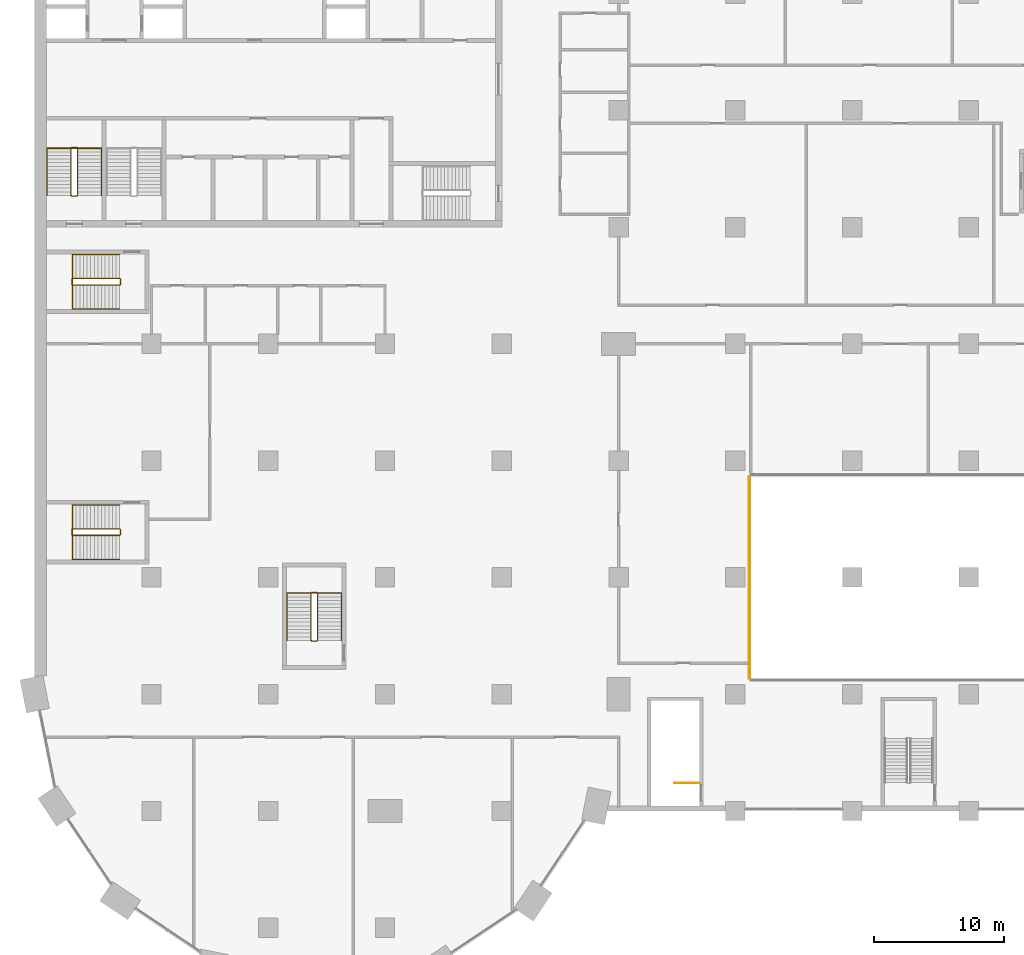
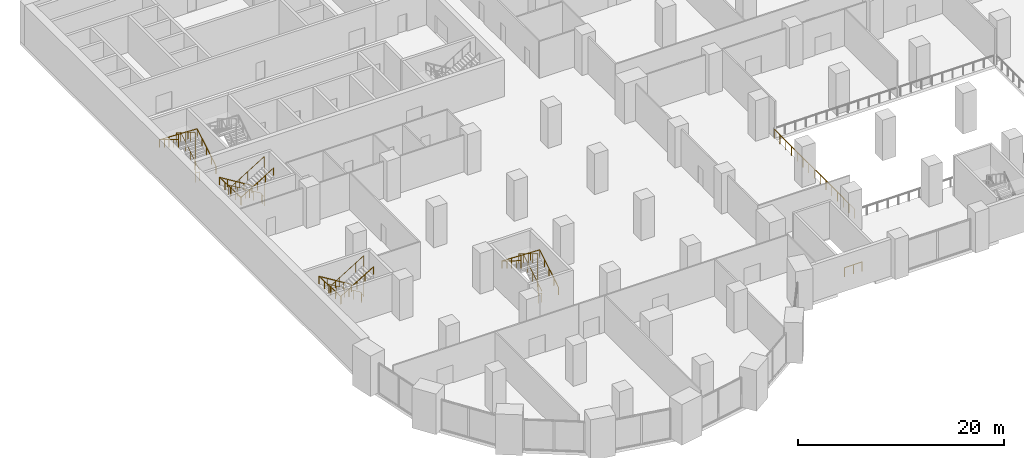
# One storey, part 28 of 32: 10 railings.
"""IFC4 building model written with IfcOpenShell, lengths in metres."""

from ifc_helpers import new_model, si_unit, direction, frame, origin, origin_2d, place, context, subcontext, project, spatial, circle, extrude, material, type_object, element, save


model = new_model("IFC4")

# Units and contexts
model_context = context("Model", 3, precision=1e-05, world=origin(), true_north=direction((0.0, 1.0)))
body_context = subcontext(model_context, "Body", "Model", "MODEL_VIEW")
ifc_project = project(units=[si_unit("LENGTHUNIT", "METRE"), si_unit("AREAUNIT", "SQUARE_METRE"), si_unit("VOLUMEUNIT", "CUBIC_METRE"), si_unit("PLANEANGLEUNIT", "RADIAN"), si_unit("MASSUNIT", "GRAM", prefix="KILO")], contexts=[model_context])

# Site, building, storey
site_placement = place(None, origin())
site = spatial("IfcSite", under=ifc_project, at=site_placement, CompositionType="ELEMENT")
building_placement = place(site_placement, origin())
building = spatial("IfcBuilding", under=site, at=building_placement, Name="Hunhe Ridgeline Campus", CompositionType="ELEMENT")
storey_placement = place(building_placement, frame((0.0, 0.0, 26.39990234375)))
storey = spatial("IfcBuildingStorey", under=building, at=storey_placement, Name="L05", CompositionType="ELEMENT", Elevation=26.39990234375)

# Railings
ifc_material_1 = material(Name="Glass and steel", Category="steel")
railing_type_1 = type_object("IfcRailingType", Name="Atrium glass guard 1100", PredefinedType="GUARDRAIL", material=ifc_material_1)
railing_1_placement = place(storey_placement, frame((55.080078125, 43.800048828125, 0.0)))
element("IfcRailing", 1, at=railing_1_placement, inside=storey, type_object=railing_type_1, Name="L05 atrium guard", PredefinedType="GUARDRAIL", context=body_context, shape_type="SweptSolid", body=[
    extrude(circle(Radius=0.02392578125, at=origin_2d()), frame((0.0, 0.0, 1.076171875), z_axis=(0.0, -1.0, 0.0), x_axis=(1.0, 0.0, 0.0)), (0.0, 0.0, 1.0), 15.60009765625),
    extrude(circle(Radius=0.02099609375, at=origin_2d()), origin(), (0.0, 0.0, 1.0), 1.052001953125),
    extrude(circle(Radius=0.02099609375, at=origin_2d()), frame((0.0, -1.1142578125, 0.0)), (0.0, 0.0, 1.0), 1.052001953125),
    extrude(circle(Radius=0.02099609375, at=origin_2d()), frame((0.0, -2.228515625, 0.0)), (0.0, 0.0, 1.0), 1.052001953125),
    extrude(circle(Radius=0.02099609375, at=origin_2d()), frame((0.0, -3.3427734375, 0.0)), (0.0, 0.0, 1.0), 1.052001953125),
    extrude(circle(Radius=0.02099609375, at=origin_2d()), frame((0.0, -4.457275390625, 0.0)), (0.0, 0.0, 1.0), 1.052001953125),
    extrude(circle(Radius=0.02099609375, at=origin_2d()), frame((0.0, -5.571533203125, 0.0)), (0.0, 0.0, 1.0), 1.052001953125),
    extrude(circle(Radius=0.02099609375, at=origin_2d()), frame((0.0, -6.685791015625, 0.0)), (0.0, 0.0, 1.0), 1.052001953125),
    extrude(circle(Radius=0.02099609375, at=origin_2d()), frame((0.0, -7.800048828125, 0.0)), (0.0, 0.0, 1.0), 1.052001953125),
    extrude(circle(Radius=0.02099609375, at=origin_2d()), frame((0.0, -8.914306640625, 0.0)), (0.0, 0.0, 1.0), 1.052001953125),
    extrude(circle(Radius=0.02099609375, at=origin_2d()), frame((0.0, -10.028564453125, 0.0)), (0.0, 0.0, 1.0), 1.052001953125),
    extrude(circle(Radius=0.02099609375, at=origin_2d()), frame((0.0, -11.142822265625, 0.0)), (0.0, 0.0, 1.0), 1.052001953125),
    extrude(circle(Radius=0.02099609375, at=origin_2d()), frame((0.0, -12.25732421875, 0.0)), (0.0, 0.0, 1.0), 1.052001953125),
    extrude(circle(Radius=0.02099609375, at=origin_2d()), frame((0.0, -13.37158203125, 0.0)), (0.0, 0.0, 1.0), 1.052001953125),
    extrude(circle(Radius=0.02099609375, at=origin_2d()), frame((0.0, -14.48583984375, 0.0)), (0.0, 0.0, 1.0), 1.052001953125),
    extrude(circle(Radius=0.02099609375, at=origin_2d()), frame((0.0, -15.60009765625, 0.0)), (0.0, 0.0, 1.0), 1.052001953125),
])
ifc_material_2 = material(Name="Steel Q235", Category="steel")
railing_type_2 = type_object("IfcRailingType", Name="Podium stair guard 1100", PredefinedType="GUARDRAIL", material=ifc_material_2)
railing_2_placement = place(storey_placement, frame((51.25, 20.14990234375, 0.0)))
element("IfcRailing", 2, at=railing_2_placement, inside=storey, type_object=railing_type_2, Name="L05 PS1 top well guard 1", PredefinedType="GUARDRAIL", context=body_context, shape_type="SweptSolid", body=[
    extrude(circle(Radius=0.02392578125, at=origin_2d()), frame((0.0, 0.0, 1.076171875), z_axis=(-1.0, 0.0, 0.0), x_axis=(0.0, -1.0, 0.0)), (0.0, 0.0, 1.0), 1.949951171875),
    extrude(circle(Radius=0.02099609375, at=origin_2d()), origin(), (0.0, 0.0, 1.0), 1.052001953125),
    extrude(circle(Radius=0.02099609375, at=origin_2d()), frame((-0.97509765625, 0.0, 0.0)), (0.0, 0.0, 1.0), 1.052001953125),
    extrude(circle(Radius=0.02099609375, at=origin_2d()), frame((-1.949951171875, 0.0, 0.0)), (0.0, 0.0, 1.0), 1.052001953125),
])
ifc_material_3 = material(Name="Stainless steel balustrade", Category="steel")
railing_type_3 = type_object("IfcRailingType", Name="Stair guard 1100 stainless", PredefinedType="GUARDRAIL", material=ifc_material_3)
railing_3_placement = place(storey_placement, frame((3.300048828125, 65.449951171875, 0.171630859375)))
element("IfcRailing", 3, at=railing_3_placement, inside=storey, type_object=railing_type_3, Name="L05 stair S3 guard", PredefinedType="GUARDRAIL", context=body_context, shape_type="SweptSolid", body=[
    extrude(circle(Radius=0.02392578125, at=origin_2d()), frame((0.0, 0.0, 1.076171875), z_axis=(0.0, 0.852865859571, 0.52213008492), x_axis=(-1.0, 0.0, 0.0)), (0.0, 0.0, 1.0), 4.26806640625),
    extrude(circle(Radius=0.02392578125, at=origin_2d()), frame((0.0, 3.64013671875, 3.3046875), z_axis=(-0.708833529934, 0.705375805398, 0.0), x_axis=(-0.705375805398, -0.708833529934, 0.0)), (0.0, 0.0, 1.0), 0.070556640625),
    extrude(circle(Radius=0.02392578125, at=origin_2d()), frame((-0.050048828125, 3.68994140625, 3.3046875), z_axis=(-1.0, 0.0, 0.0), x_axis=(0.0, -1.0, 0.0)), (0.0, 0.0, 1.0), 0.39990234375),
    extrude(circle(Radius=0.02392578125, at=origin_2d()), frame((-0.449951171875, 3.68994140625, 3.3046875), z_axis=(-0.270006937388, -0.268689830376, 0.924609122178), x_axis=(0.705375805398, -0.708833529934, 0.0)), (0.0, 0.0, 1.0), 0.185302734375),
    extrude(circle(Radius=0.02392578125, at=origin_2d()), frame((-0.5, 3.64013671875, 3.47607421875), z_axis=(0.0, -0.852865859571, 0.52213008492), x_axis=(1.0, 0.0, 0.0)), (0.0, 0.0, 1.0), 4.26806640625),
    extrude(circle(Radius=0.02392578125, at=origin_2d()), frame((-0.5, 0.0, 5.70458984375), z_axis=(0.010425599751, -0.010425599751, -0.999891300962), x_axis=(0.707106781187, 0.707106781187, 0.0)), (0.0, 0.0, 1.0), 4.800537109375),
    extrude(circle(Radius=0.02392578125, at=origin_2d()), frame((-0.449951171875, -0.050048828125, 0.904296875), z_axis=(1.0, 0.0, 0.0), x_axis=(0.0, 1.0, 0.0)), (0.0, 0.0, 1.0), 0.39990234375),
    extrude(circle(Radius=0.02099609375, at=origin_2d()), origin(), (0.0, 0.0, 1.0), 1.052001953125),
    extrude(circle(Radius=0.02099609375, at=origin_2d()), frame((0.0, 0.91015625, 0.55712890625)), (0.0, 0.0, 1.0), 1.052001953125),
    extrude(circle(Radius=0.02099609375, at=origin_2d()), frame((0.0, 1.820068359375, 1.1142578125)), (0.0, 0.0, 1.0), 1.052001953125),
    extrude(circle(Radius=0.02099609375, at=origin_2d()), frame((0.0, 2.72998046875, 1.67138671875)), (0.0, 0.0, 1.0), 1.052001953125),
    extrude(circle(Radius=0.02099609375, at=origin_2d()), frame((0.0, 3.64013671875, 2.228515625)), (0.0, 0.0, 1.0), 1.052001953125),
    extrude(circle(Radius=0.02099609375, at=origin_2d()), frame((-0.050048828125, 3.68994140625, 2.228515625)), (0.0, 0.0, 1.0), 1.052001953125),
    extrude(circle(Radius=0.02099609375, at=origin_2d()), frame((-0.449951171875, 3.68994140625, 2.228515625)), (0.0, 0.0, 1.0), 1.052001953125),
    extrude(circle(Radius=0.02099609375, at=origin_2d()), frame((-0.5, 3.64013671875, 2.39990234375)), (0.0, 0.0, 1.0), 1.052001953125),
    extrude(circle(Radius=0.02099609375, at=origin_2d()), frame((-0.5, 2.72998046875, 2.95703125)), (0.0, 0.0, 1.0), 1.052001953125),
    extrude(circle(Radius=0.02099609375, at=origin_2d()), frame((-0.5, 1.820068359375, 3.51416015625)), (0.0, 0.0, 1.0), 1.052001953125),
    extrude(circle(Radius=0.02099609375, at=origin_2d()), frame((-0.5, 0.91015625, 4.0712890625)), (0.0, 0.0, 1.0), 1.052001953125),
    extrude(circle(Radius=0.02099609375, at=origin_2d()), frame((-0.5, 0.0, 4.62841796875)), (0.0, 0.0, 1.0), 1.052001953125),
    extrude(circle(Radius=0.02099609375, at=origin_2d()), frame((-0.489990234375, -0.010009765625, 3.66845703125)), (0.0, 0.0, 1.0), 1.052001953125),
    extrude(circle(Radius=0.02099609375, at=origin_2d()), frame((-0.47998046875, -0.02001953125, 2.70849609375)), (0.0, 0.0, 1.0), 1.052001953125),
    extrude(circle(Radius=0.02099609375, at=origin_2d()), frame((-0.469970703125, -0.030029296875, 1.748291015625)), (0.0, 0.0, 1.0), 1.052001953125),
    extrude(circle(Radius=0.02099609375, at=origin_2d()), frame((-0.4599609375, -0.0400390625, 0.788330078125)), (0.0, 0.0, 1.0), 1.052001953125),
    extrude(circle(Radius=0.02099609375, at=origin_2d()), frame((-0.449951171875, -0.050048828125, -0.171630859375)), (0.0, 0.0, 1.0), 1.052001953125),
    extrude(circle(Radius=0.02099609375, at=origin_2d()), frame((-0.050048828125, -0.050048828125, -0.171630859375)), (0.0, 0.0, 1.0), 1.052001953125),
])
railing_4_placement = place(storey_placement, frame((21.800048828125, 31.14990234375, 0.171630859375)))
element("IfcRailing", 4, at=railing_4_placement, inside=storey, type_object=railing_type_3, Name="L05 stair W3 guard", PredefinedType="GUARDRAIL", context=body_context, shape_type="SweptSolid", body=[
    extrude(circle(Radius=0.02392578125, at=origin_2d()), frame((0.0, 0.0, 1.076171875), z_axis=(0.0, 0.852865859571, 0.52213008492), x_axis=(-1.0, 0.0, 0.0)), (0.0, 0.0, 1.0), 4.26806640625),
    extrude(circle(Radius=0.02392578125, at=origin_2d()), frame((0.0, 3.64013671875, 3.3046875), z_axis=(-0.707106781187, 0.707106781187, 0.0), x_axis=(-0.707106781187, -0.707106781187, 0.0)), (0.0, 0.0, 1.0), 0.07080078125),
    extrude(circle(Radius=0.02392578125, at=origin_2d()), frame((-0.050048828125, 3.690185546875, 3.3046875), z_axis=(-1.0, 0.0, 0.0), x_axis=(0.0, -1.0, 0.0)), (0.0, 0.0, 1.0), 0.39990234375),
    extrude(circle(Radius=0.02392578125, at=origin_2d()), frame((-0.449951171875, 3.690185546875, 3.3046875), z_axis=(-0.269911200495, -0.269911200495, 0.924281281696), x_axis=(0.707106781187, -0.707106781187, 0.0)), (0.0, 0.0, 1.0), 0.185546875),
    extrude(circle(Radius=0.02392578125, at=origin_2d()), frame((-0.5, 3.64013671875, 3.47607421875), z_axis=(0.0, -0.852865859571, 0.52213008492), x_axis=(1.0, 0.0, 0.0)), (0.0, 0.0, 1.0), 4.26806640625),
    extrude(circle(Radius=0.02392578125, at=origin_2d()), frame((-0.5, 0.0, 5.70458984375), z_axis=(0.010425605265, -0.010374748654, -0.999891829822), x_axis=(0.705375805398, 0.708833529934, 0.0)), (0.0, 0.0, 1.0), 4.800537109375),
    extrude(circle(Radius=0.02392578125, at=origin_2d()), frame((-0.449951171875, -0.0498046875, 0.904296875), z_axis=(1.0, 0.0, 0.0), x_axis=(0.0, 1.0, 0.0)), (0.0, 0.0, 1.0), 0.39990234375),
    extrude(circle(Radius=0.02099609375, at=origin_2d()), origin(), (0.0, 0.0, 1.0), 1.052001953125),
    extrude(circle(Radius=0.02099609375, at=origin_2d()), frame((0.0, 0.91015625, 0.55712890625)), (0.0, 0.0, 1.0), 1.052001953125),
    extrude(circle(Radius=0.02099609375, at=origin_2d()), frame((0.0, 1.820068359375, 1.1142578125)), (0.0, 0.0, 1.0), 1.052001953125),
    extrude(circle(Radius=0.02099609375, at=origin_2d()), frame((0.0, 2.72998046875, 1.67138671875)), (0.0, 0.0, 1.0), 1.052001953125),
    extrude(circle(Radius=0.02099609375, at=origin_2d()), frame((0.0, 3.64013671875, 2.228515625)), (0.0, 0.0, 1.0), 1.052001953125),
    extrude(circle(Radius=0.02099609375, at=origin_2d()), frame((-0.050048828125, 3.690185546875, 2.228515625)), (0.0, 0.0, 1.0), 1.052001953125),
    extrude(circle(Radius=0.02099609375, at=origin_2d()), frame((-0.449951171875, 3.690185546875, 2.228515625)), (0.0, 0.0, 1.0), 1.052001953125),
    extrude(circle(Radius=0.02099609375, at=origin_2d()), frame((-0.5, 3.64013671875, 2.39990234375)), (0.0, 0.0, 1.0), 1.052001953125),
    extrude(circle(Radius=0.02099609375, at=origin_2d()), frame((-0.5, 2.72998046875, 2.95703125)), (0.0, 0.0, 1.0), 1.052001953125),
    extrude(circle(Radius=0.02099609375, at=origin_2d()), frame((-0.5, 1.820068359375, 3.51416015625)), (0.0, 0.0, 1.0), 1.052001953125),
    extrude(circle(Radius=0.02099609375, at=origin_2d()), frame((-0.5, 0.91015625, 4.0712890625)), (0.0, 0.0, 1.0), 1.052001953125),
    extrude(circle(Radius=0.02099609375, at=origin_2d()), frame((-0.5, 0.0, 4.62841796875)), (0.0, 0.0, 1.0), 1.052001953125),
    extrude(circle(Radius=0.02099609375, at=origin_2d()), frame((-0.489990234375, -0.010009765625, 3.66845703125)), (0.0, 0.0, 1.0), 1.052001953125),
    extrude(circle(Radius=0.02099609375, at=origin_2d()), frame((-0.47998046875, -0.02001953125, 2.70849609375)), (0.0, 0.0, 1.0), 1.052001953125),
    extrude(circle(Radius=0.02099609375, at=origin_2d()), frame((-0.469970703125, -0.02978515625, 1.748291015625)), (0.0, 0.0, 1.0), 1.052001953125),
    extrude(circle(Radius=0.02099609375, at=origin_2d()), frame((-0.4599609375, -0.039794921875, 0.788330078125)), (0.0, 0.0, 1.0), 1.052001953125),
    extrude(circle(Radius=0.02099609375, at=origin_2d()), frame((-0.449951171875, -0.0498046875, -0.171630859375)), (0.0, 0.0, 1.0), 1.052001953125),
    extrude(circle(Radius=0.02099609375, at=origin_2d()), frame((-0.050048828125, -0.0498046875, -0.171630859375)), (0.0, 0.0, 1.0), 1.052001953125),
])
railing_5_placement = place(storey_placement, frame((6.550048828125, 39.75, 0.171630859375)))
element("IfcRailing", 5, at=railing_5_placement, inside=storey, type_object=railing_type_3, Name="L05 stair W1 guard", PredefinedType="GUARDRAIL", context=body_context, shape_type="SweptSolid", body=[
    extrude(circle(Radius=0.02392578125, at=origin_2d()), frame((0.0, 0.0, 1.076171875), z_axis=(-0.852865859571, 0.0, 0.52213008492), x_axis=(0.0, -1.0, 0.0)), (0.0, 0.0, 1.0), 4.26806640625),
    extrude(circle(Radius=0.02392578125, at=origin_2d()), frame((-3.64013671875, 0.0, 3.3046875), z_axis=(-0.705375805398, -0.708833529934, 0.0), x_axis=(0.708833529934, -0.705375805398, 0.0)), (0.0, 0.0, 1.0), 0.070556640625),
    extrude(circle(Radius=0.02392578125, at=origin_2d()), frame((-3.68994140625, -0.050048828125, 3.3046875), z_axis=(0.0, -1.0, 0.0), x_axis=(1.0, 0.0, 0.0)), (0.0, 0.0, 1.0), 0.39990234375),
    extrude(circle(Radius=0.02392578125, at=origin_2d()), frame((-3.68994140625, -0.449951171875, 3.3046875), z_axis=(0.268689830376, -0.270006937388, 0.924609122178), x_axis=(0.708833529934, 0.705375805398, 0.0)), (0.0, 0.0, 1.0), 0.185302734375),
    extrude(circle(Radius=0.02392578125, at=origin_2d()), frame((-3.64013671875, -0.5, 3.47607421875), z_axis=(0.852865859571, 0.0, 0.52213008492), x_axis=(0.0, 1.0, 0.0)), (0.0, 0.0, 1.0), 4.26806640625),
    extrude(circle(Radius=0.02392578125, at=origin_2d()), frame((0.0, -0.5, 5.70458984375), z_axis=(0.010425599751, 0.010425599751, -0.999891300962), x_axis=(-0.707106781187, 0.707106781187, 0.0)), (0.0, 0.0, 1.0), 4.800537109375),
    extrude(circle(Radius=0.02392578125, at=origin_2d()), frame((0.050048828125, -0.449951171875, 0.904296875), z_axis=(0.0, 1.0, 0.0), x_axis=(-1.0, 0.0, 0.0)), (0.0, 0.0, 1.0), 0.39990234375),
    extrude(circle(Radius=0.02099609375, at=origin_2d()), origin(), (0.0, 0.0, 1.0), 1.052001953125),
    extrude(circle(Radius=0.02099609375, at=origin_2d()), frame((-0.91015625, 0.0, 0.55712890625)), (0.0, 0.0, 1.0), 1.052001953125),
    extrude(circle(Radius=0.02099609375, at=origin_2d()), frame((-1.820068359375, 0.0, 1.1142578125)), (0.0, 0.0, 1.0), 1.052001953125),
    extrude(circle(Radius=0.02099609375, at=origin_2d()), frame((-2.72998046875, 0.0, 1.67138671875)), (0.0, 0.0, 1.0), 1.052001953125),
    extrude(circle(Radius=0.02099609375, at=origin_2d()), frame((-3.64013671875, 0.0, 2.228515625)), (0.0, 0.0, 1.0), 1.052001953125),
    extrude(circle(Radius=0.02099609375, at=origin_2d()), frame((-3.68994140625, -0.050048828125, 2.228515625)), (0.0, 0.0, 1.0), 1.052001953125),
    extrude(circle(Radius=0.02099609375, at=origin_2d()), frame((-3.68994140625, -0.449951171875, 2.228515625)), (0.0, 0.0, 1.0), 1.052001953125),
    extrude(circle(Radius=0.02099609375, at=origin_2d()), frame((-3.64013671875, -0.5, 2.39990234375)), (0.0, 0.0, 1.0), 1.052001953125),
    extrude(circle(Radius=0.02099609375, at=origin_2d()), frame((-2.72998046875, -0.5, 2.95703125)), (0.0, 0.0, 1.0), 1.052001953125),
    extrude(circle(Radius=0.02099609375, at=origin_2d()), frame((-1.820068359375, -0.5, 3.51416015625)), (0.0, 0.0, 1.0), 1.052001953125),
    extrude(circle(Radius=0.02099609375, at=origin_2d()), frame((-0.91015625, -0.5, 4.0712890625)), (0.0, 0.0, 1.0), 1.052001953125),
    extrude(circle(Radius=0.02099609375, at=origin_2d()), frame((0.0, -0.5, 4.62841796875)), (0.0, 0.0, 1.0), 1.052001953125),
    extrude(circle(Radius=0.02099609375, at=origin_2d()), frame((0.010009765625, -0.489990234375, 3.66845703125)), (0.0, 0.0, 1.0), 1.052001953125),
    extrude(circle(Radius=0.02099609375, at=origin_2d()), frame((0.02001953125, -0.47998046875, 2.70849609375)), (0.0, 0.0, 1.0), 1.052001953125),
    extrude(circle(Radius=0.02099609375, at=origin_2d()), frame((0.030029296875, -0.469970703125, 1.748291015625)), (0.0, 0.0, 1.0), 1.052001953125),
    extrude(circle(Radius=0.02099609375, at=origin_2d()), frame((0.0400390625, -0.4599609375, 0.788330078125)), (0.0, 0.0, 1.0), 1.052001953125),
    extrude(circle(Radius=0.02099609375, at=origin_2d()), frame((0.050048828125, -0.449951171875, -0.171630859375)), (0.0, 0.0, 1.0), 1.052001953125),
    extrude(circle(Radius=0.02099609375, at=origin_2d()), frame((0.050048828125, -0.050048828125, -0.171630859375)), (0.0, 0.0, 1.0), 1.052001953125),
])
railing_6_placement = place(storey_placement, frame((6.550048828125, 59.050048828125, 0.171630859375)))
element("IfcRailing", 6, at=railing_6_placement, inside=storey, type_object=railing_type_3, Name="L05 stair W2 guard", PredefinedType="GUARDRAIL", context=body_context, shape_type="SweptSolid", body=[
    extrude(circle(Radius=0.02392578125, at=origin_2d()), frame((0.0, 0.0, 1.076171875), z_axis=(-0.852865859571, 0.0, 0.52213008492), x_axis=(0.0, -1.0, 0.0)), (0.0, 0.0, 1.0), 4.26806640625),
    extrude(circle(Radius=0.02392578125, at=origin_2d()), frame((-3.64013671875, 0.0, 3.3046875), z_axis=(-0.705375805398, -0.708833529934, 0.0), x_axis=(0.708833529934, -0.705375805398, 0.0)), (0.0, 0.0, 1.0), 0.070556640625),
    extrude(circle(Radius=0.02392578125, at=origin_2d()), frame((-3.68994140625, -0.050048828125, 3.3046875), z_axis=(0.0, -1.0, 0.0), x_axis=(1.0, 0.0, 0.0)), (0.0, 0.0, 1.0), 0.39990234375),
    extrude(circle(Radius=0.02392578125, at=origin_2d()), frame((-3.68994140625, -0.449951171875, 3.3046875), z_axis=(0.268689830376, -0.270006937388, 0.924609122178), x_axis=(0.708833529934, 0.705375805398, 0.0)), (0.0, 0.0, 1.0), 0.185302734375),
    extrude(circle(Radius=0.02392578125, at=origin_2d()), frame((-3.64013671875, -0.5, 3.47607421875), z_axis=(0.852865859571, 0.0, 0.52213008492), x_axis=(0.0, 1.0, 0.0)), (0.0, 0.0, 1.0), 4.26806640625),
    extrude(circle(Radius=0.02392578125, at=origin_2d()), frame((0.0, -0.5, 5.70458984375), z_axis=(0.010425599751, 0.010425599751, -0.999891300962), x_axis=(-0.707106781187, 0.707106781187, 0.0)), (0.0, 0.0, 1.0), 4.800537109375),
    extrude(circle(Radius=0.02392578125, at=origin_2d()), frame((0.050048828125, -0.449951171875, 0.904296875), z_axis=(0.0, 1.0, 0.0), x_axis=(-1.0, 0.0, 0.0)), (0.0, 0.0, 1.0), 0.39990234375),
    extrude(circle(Radius=0.02099609375, at=origin_2d()), origin(), (0.0, 0.0, 1.0), 1.052001953125),
    extrude(circle(Radius=0.02099609375, at=origin_2d()), frame((-0.91015625, 0.0, 0.55712890625)), (0.0, 0.0, 1.0), 1.052001953125),
    extrude(circle(Radius=0.02099609375, at=origin_2d()), frame((-1.820068359375, 0.0, 1.1142578125)), (0.0, 0.0, 1.0), 1.052001953125),
    extrude(circle(Radius=0.02099609375, at=origin_2d()), frame((-2.72998046875, 0.0, 1.67138671875)), (0.0, 0.0, 1.0), 1.052001953125),
    extrude(circle(Radius=0.02099609375, at=origin_2d()), frame((-3.64013671875, 0.0, 2.228515625)), (0.0, 0.0, 1.0), 1.052001953125),
    extrude(circle(Radius=0.02099609375, at=origin_2d()), frame((-3.68994140625, -0.050048828125, 2.228515625)), (0.0, 0.0, 1.0), 1.052001953125),
    extrude(circle(Radius=0.02099609375, at=origin_2d()), frame((-3.68994140625, -0.449951171875, 2.228515625)), (0.0, 0.0, 1.0), 1.052001953125),
    extrude(circle(Radius=0.02099609375, at=origin_2d()), frame((-3.64013671875, -0.5, 2.39990234375)), (0.0, 0.0, 1.0), 1.052001953125),
    extrude(circle(Radius=0.02099609375, at=origin_2d()), frame((-2.72998046875, -0.5, 2.95703125)), (0.0, 0.0, 1.0), 1.052001953125),
    extrude(circle(Radius=0.02099609375, at=origin_2d()), frame((-1.820068359375, -0.5, 3.51416015625)), (0.0, 0.0, 1.0), 1.052001953125),
    extrude(circle(Radius=0.02099609375, at=origin_2d()), frame((-0.91015625, -0.5, 4.0712890625)), (0.0, 0.0, 1.0), 1.052001953125),
    extrude(circle(Radius=0.02099609375, at=origin_2d()), frame((0.0, -0.5, 4.62841796875)), (0.0, 0.0, 1.0), 1.052001953125),
    extrude(circle(Radius=0.02099609375, at=origin_2d()), frame((0.010009765625, -0.489990234375, 3.66845703125)), (0.0, 0.0, 1.0), 1.052001953125),
    extrude(circle(Radius=0.02099609375, at=origin_2d()), frame((0.02001953125, -0.47998046875, 2.70849609375)), (0.0, 0.0, 1.0), 1.052001953125),
    extrude(circle(Radius=0.02099609375, at=origin_2d()), frame((0.030029296875, -0.469970703125, 1.748291015625)), (0.0, 0.0, 1.0), 1.052001953125),
    extrude(circle(Radius=0.02099609375, at=origin_2d()), frame((0.0400390625, -0.4599609375, 0.788330078125)), (0.0, 0.0, 1.0), 1.052001953125),
    extrude(circle(Radius=0.02099609375, at=origin_2d()), frame((0.050048828125, -0.449951171875, -0.171630859375)), (0.0, 0.0, 1.0), 1.052001953125),
    extrude(circle(Radius=0.02099609375, at=origin_2d()), frame((0.050048828125, -0.050048828125, -0.171630859375)), (0.0, 0.0, 1.0), 1.052001953125),
])
ifc_material_4 = material(Name="Stainless steel handrail", Category="steel")
railing_type_4 = type_object("IfcRailingType", Name="Stair handrail 900 stainless", PredefinedType="HANDRAIL", material=ifc_material_4)
railing_7_placement = place(storey_placement, frame((5.14990234375, 65.449951171875, 0.171630859375)))
element("IfcRailing", 7, at=railing_7_placement, inside=storey, type_object=railing_type_4, Name="L05 stair S3 handrail", PredefinedType="HANDRAIL", context=body_context, shape_type="SweptSolid", body=[
    extrude(circle(Radius=0.02392578125, at=origin_2d()), frame((0.0, 0.0, 0.8759765625), z_axis=(0.0, 0.852865859571, 0.52213008492), x_axis=(-1.0, 0.0, 0.0)), (0.0, 0.0, 1.0), 4.26806640625),
    extrude(circle(Radius=0.02392578125, at=origin_2d()), frame((0.0, 3.64013671875, 3.1044921875), z_axis=(-0.999168439458, 0.0, 0.040772902662), x_axis=(0.0, -1.0, 0.0)), (0.0, 0.0, 1.0), 4.203369140625),
    extrude(circle(Radius=0.02392578125, at=origin_2d()), frame((-4.199951171875, 3.64013671875, 3.27587890625), z_axis=(0.0, -0.852865859571, 0.52213008492), x_axis=(1.0, 0.0, 0.0)), (0.0, 0.0, 1.0), 4.26806640625),
    extrude(circle(Radius=0.02099609375, at=origin_2d()), origin(), (0.0, 0.0, 1.0), 0.851806640625),
    extrude(circle(Radius=0.02099609375, at=origin_2d()), frame((0.0, 0.91015625, 0.55712890625)), (0.0, 0.0, 1.0), 0.851806640625),
    extrude(circle(Radius=0.02099609375, at=origin_2d()), frame((0.0, 1.820068359375, 1.1142578125)), (0.0, 0.0, 1.0), 0.851806640625),
    extrude(circle(Radius=0.02099609375, at=origin_2d()), frame((0.0, 2.72998046875, 1.67138671875)), (0.0, 0.0, 1.0), 0.851806640625),
    extrude(circle(Radius=0.02099609375, at=origin_2d()), frame((0.0, 3.64013671875, 2.228515625)), (0.0, 0.0, 1.0), 0.851806640625),
    extrude(circle(Radius=0.02099609375, at=origin_2d()), frame((-1.050048828125, 3.64013671875, 2.271484375)), (0.0, 0.0, 1.0), 0.851806640625),
    extrude(circle(Radius=0.02099609375, at=origin_2d()), frame((-2.10009765625, 3.64013671875, 2.314208984375)), (0.0, 0.0, 1.0), 0.851806640625),
    extrude(circle(Radius=0.02099609375, at=origin_2d()), frame((-3.14990234375, 3.64013671875, 2.35693359375)), (0.0, 0.0, 1.0), 0.851806640625),
    extrude(circle(Radius=0.02099609375, at=origin_2d()), frame((-4.199951171875, 3.64013671875, 2.39990234375)), (0.0, 0.0, 1.0), 0.851806640625),
    extrude(circle(Radius=0.02099609375, at=origin_2d()), frame((-4.199951171875, 2.72998046875, 2.95703125)), (0.0, 0.0, 1.0), 0.851806640625),
    extrude(circle(Radius=0.02099609375, at=origin_2d()), frame((-4.199951171875, 1.820068359375, 3.51416015625)), (0.0, 0.0, 1.0), 0.851806640625),
    extrude(circle(Radius=0.02099609375, at=origin_2d()), frame((-4.199951171875, 0.91015625, 4.0712890625)), (0.0, 0.0, 1.0), 0.851806640625),
    extrude(circle(Radius=0.02099609375, at=origin_2d()), frame((-4.199951171875, 0.0, 4.62841796875)), (0.0, 0.0, 1.0), 0.851806640625),
])
railing_8_placement = place(storey_placement, frame((23.64990234375, 31.14990234375, 0.171630859375)))
element("IfcRailing", 8, at=railing_8_placement, inside=storey, type_object=railing_type_4, Name="L05 stair W3 handrail", PredefinedType="HANDRAIL", context=body_context, shape_type="SweptSolid", body=[
    extrude(circle(Radius=0.02392578125, at=origin_2d()), frame((0.0, 0.0, 0.8759765625), z_axis=(0.0, 0.852865859571, 0.52213008492), x_axis=(-1.0, 0.0, 0.0)), (0.0, 0.0, 1.0), 4.26806640625),
    extrude(circle(Radius=0.02392578125, at=origin_2d()), frame((0.0, 3.64013671875, 3.1044921875), z_axis=(-0.999168439458, 0.0, 0.040772902662), x_axis=(0.0, -1.0, 0.0)), (0.0, 0.0, 1.0), 4.203369140625),
    extrude(circle(Radius=0.02392578125, at=origin_2d()), frame((-4.199951171875, 3.64013671875, 3.27587890625), z_axis=(0.0, -0.852865859571, 0.52213008492), x_axis=(1.0, 0.0, 0.0)), (0.0, 0.0, 1.0), 4.26806640625),
    extrude(circle(Radius=0.02099609375, at=origin_2d()), origin(), (0.0, 0.0, 1.0), 0.851806640625),
    extrude(circle(Radius=0.02099609375, at=origin_2d()), frame((0.0, 0.91015625, 0.55712890625)), (0.0, 0.0, 1.0), 0.851806640625),
    extrude(circle(Radius=0.02099609375, at=origin_2d()), frame((0.0, 1.820068359375, 1.1142578125)), (0.0, 0.0, 1.0), 0.851806640625),
    extrude(circle(Radius=0.02099609375, at=origin_2d()), frame((0.0, 2.72998046875, 1.67138671875)), (0.0, 0.0, 1.0), 0.851806640625),
    extrude(circle(Radius=0.02099609375, at=origin_2d()), frame((0.0, 3.64013671875, 2.228515625)), (0.0, 0.0, 1.0), 0.851806640625),
    extrude(circle(Radius=0.02099609375, at=origin_2d()), frame((-1.050048828125, 3.64013671875, 2.271484375)), (0.0, 0.0, 1.0), 0.851806640625),
    extrude(circle(Radius=0.02099609375, at=origin_2d()), frame((-2.10009765625, 3.64013671875, 2.314208984375)), (0.0, 0.0, 1.0), 0.851806640625),
    extrude(circle(Radius=0.02099609375, at=origin_2d()), frame((-3.14990234375, 3.64013671875, 2.35693359375)), (0.0, 0.0, 1.0), 0.851806640625),
    extrude(circle(Radius=0.02099609375, at=origin_2d()), frame((-4.199951171875, 3.64013671875, 2.39990234375)), (0.0, 0.0, 1.0), 0.851806640625),
    extrude(circle(Radius=0.02099609375, at=origin_2d()), frame((-4.199951171875, 2.72998046875, 2.95703125)), (0.0, 0.0, 1.0), 0.851806640625),
    extrude(circle(Radius=0.02099609375, at=origin_2d()), frame((-4.199951171875, 1.820068359375, 3.51416015625)), (0.0, 0.0, 1.0), 0.851806640625),
    extrude(circle(Radius=0.02099609375, at=origin_2d()), frame((-4.199951171875, 0.91015625, 4.0712890625)), (0.0, 0.0, 1.0), 0.851806640625),
    extrude(circle(Radius=0.02099609375, at=origin_2d()), frame((-4.199951171875, 0.0, 4.62841796875)), (0.0, 0.0, 1.0), 0.851806640625),
])
railing_9_placement = place(storey_placement, frame((6.550048828125, 41.60009765625, 0.171630859375)))
element("IfcRailing", 9, at=railing_9_placement, inside=storey, type_object=railing_type_4, Name="L05 stair W1 handrail", PredefinedType="HANDRAIL", context=body_context, shape_type="SweptSolid", body=[
    extrude(circle(Radius=0.02392578125, at=origin_2d()), frame((0.0, 0.0, 0.8759765625), z_axis=(-0.852865859571, 0.0, 0.52213008492), x_axis=(0.0, -1.0, 0.0)), (0.0, 0.0, 1.0), 4.26806640625),
    extrude(circle(Radius=0.02392578125, at=origin_2d()), frame((-3.64013671875, 0.0, 3.1044921875), z_axis=(0.0, -0.999168536005, 0.040770536635), x_axis=(1.0, 0.0, 0.0)), (0.0, 0.0, 1.0), 4.20361328125),
    extrude(circle(Radius=0.02392578125, at=origin_2d()), frame((-3.64013671875, -4.2001953125, 3.27587890625), z_axis=(0.852865859571, 0.0, 0.52213008492), x_axis=(0.0, 1.0, 0.0)), (0.0, 0.0, 1.0), 4.26806640625),
    extrude(circle(Radius=0.02099609375, at=origin_2d()), origin(), (0.0, 0.0, 1.0), 0.851806640625),
    extrude(circle(Radius=0.02099609375, at=origin_2d()), frame((-0.91015625, 0.0, 0.55712890625)), (0.0, 0.0, 1.0), 0.851806640625),
    extrude(circle(Radius=0.02099609375, at=origin_2d()), frame((-1.820068359375, 0.0, 1.1142578125)), (0.0, 0.0, 1.0), 0.851806640625),
    extrude(circle(Radius=0.02099609375, at=origin_2d()), frame((-2.72998046875, 0.0, 1.67138671875)), (0.0, 0.0, 1.0), 0.851806640625),
    extrude(circle(Radius=0.02099609375, at=origin_2d()), frame((-3.64013671875, 0.0, 2.228515625)), (0.0, 0.0, 1.0), 0.851806640625),
    extrude(circle(Radius=0.02099609375, at=origin_2d()), frame((-3.64013671875, -1.050048828125, 2.271484375)), (0.0, 0.0, 1.0), 0.851806640625),
    extrude(circle(Radius=0.02099609375, at=origin_2d()), frame((-3.64013671875, -2.10009765625, 2.314208984375)), (0.0, 0.0, 1.0), 0.851806640625),
    extrude(circle(Radius=0.02099609375, at=origin_2d()), frame((-3.64013671875, -3.150146484375, 2.35693359375)), (0.0, 0.0, 1.0), 0.851806640625),
    extrude(circle(Radius=0.02099609375, at=origin_2d()), frame((-3.64013671875, -4.2001953125, 2.39990234375)), (0.0, 0.0, 1.0), 0.851806640625),
    extrude(circle(Radius=0.02099609375, at=origin_2d()), frame((-2.72998046875, -4.2001953125, 2.95703125)), (0.0, 0.0, 1.0), 0.851806640625),
    extrude(circle(Radius=0.02099609375, at=origin_2d()), frame((-1.820068359375, -4.2001953125, 3.51416015625)), (0.0, 0.0, 1.0), 0.851806640625),
    extrude(circle(Radius=0.02099609375, at=origin_2d()), frame((-0.91015625, -4.2001953125, 4.0712890625)), (0.0, 0.0, 1.0), 0.851806640625),
    extrude(circle(Radius=0.02099609375, at=origin_2d()), frame((0.0, -4.2001953125, 4.62841796875)), (0.0, 0.0, 1.0), 0.851806640625),
])
railing_10_placement = place(storey_placement, frame((6.550048828125, 60.89990234375, 0.171630859375)))
element("IfcRailing", 10, at=railing_10_placement, inside=storey, type_object=railing_type_4, Name="L05 stair W2 handrail", PredefinedType="HANDRAIL", context=body_context, shape_type="SweptSolid", body=[
    extrude(circle(Radius=0.02392578125, at=origin_2d()), frame((0.0, 0.0, 0.8759765625), z_axis=(-0.852865859571, 0.0, 0.52213008492), x_axis=(0.0, -1.0, 0.0)), (0.0, 0.0, 1.0), 4.26806640625),
    extrude(circle(Radius=0.02392578125, at=origin_2d()), frame((-3.64013671875, 0.0, 3.1044921875), z_axis=(0.0, -0.999168439458, 0.040772902662), x_axis=(1.0, 0.0, 0.0)), (0.0, 0.0, 1.0), 4.203369140625),
    extrude(circle(Radius=0.02392578125, at=origin_2d()), frame((-3.64013671875, -4.199951171875, 3.27587890625), z_axis=(0.852865859571, 0.0, 0.52213008492), x_axis=(0.0, 1.0, 0.0)), (0.0, 0.0, 1.0), 4.26806640625),
    extrude(circle(Radius=0.02099609375, at=origin_2d()), origin(), (0.0, 0.0, 1.0), 0.851806640625),
    extrude(circle(Radius=0.02099609375, at=origin_2d()), frame((-0.91015625, 0.0, 0.55712890625)), (0.0, 0.0, 1.0), 0.851806640625),
    extrude(circle(Radius=0.02099609375, at=origin_2d()), frame((-1.820068359375, 0.0, 1.1142578125)), (0.0, 0.0, 1.0), 0.851806640625),
    extrude(circle(Radius=0.02099609375, at=origin_2d()), frame((-2.72998046875, 0.0, 1.67138671875)), (0.0, 0.0, 1.0), 0.851806640625),
    extrude(circle(Radius=0.02099609375, at=origin_2d()), frame((-3.64013671875, 0.0, 2.228515625)), (0.0, 0.0, 1.0), 0.851806640625),
    extrude(circle(Radius=0.02099609375, at=origin_2d()), frame((-3.64013671875, -1.050048828125, 2.271484375)), (0.0, 0.0, 1.0), 0.851806640625),
    extrude(circle(Radius=0.02099609375, at=origin_2d()), frame((-3.64013671875, -2.10009765625, 2.314208984375)), (0.0, 0.0, 1.0), 0.851806640625),
    extrude(circle(Radius=0.02099609375, at=origin_2d()), frame((-3.64013671875, -3.14990234375, 2.35693359375)), (0.0, 0.0, 1.0), 0.851806640625),
    extrude(circle(Radius=0.02099609375, at=origin_2d()), frame((-3.64013671875, -4.199951171875, 2.39990234375)), (0.0, 0.0, 1.0), 0.851806640625),
    extrude(circle(Radius=0.02099609375, at=origin_2d()), frame((-2.72998046875, -4.199951171875, 2.95703125)), (0.0, 0.0, 1.0), 0.851806640625),
    extrude(circle(Radius=0.02099609375, at=origin_2d()), frame((-1.820068359375, -4.199951171875, 3.51416015625)), (0.0, 0.0, 1.0), 0.851806640625),
    extrude(circle(Radius=0.02099609375, at=origin_2d()), frame((-0.91015625, -4.199951171875, 4.0712890625)), (0.0, 0.0, 1.0), 0.851806640625),
    extrude(circle(Radius=0.02099609375, at=origin_2d()), frame((0.0, -4.199951171875, 4.62841796875)), (0.0, 0.0, 1.0), 0.851806640625),
])

save(model, "model.ifc")
